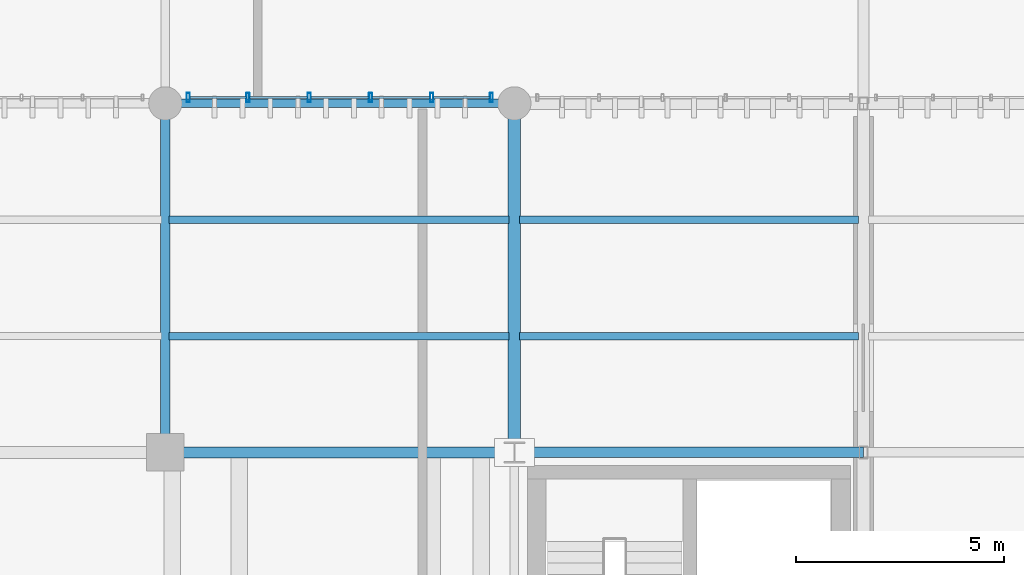
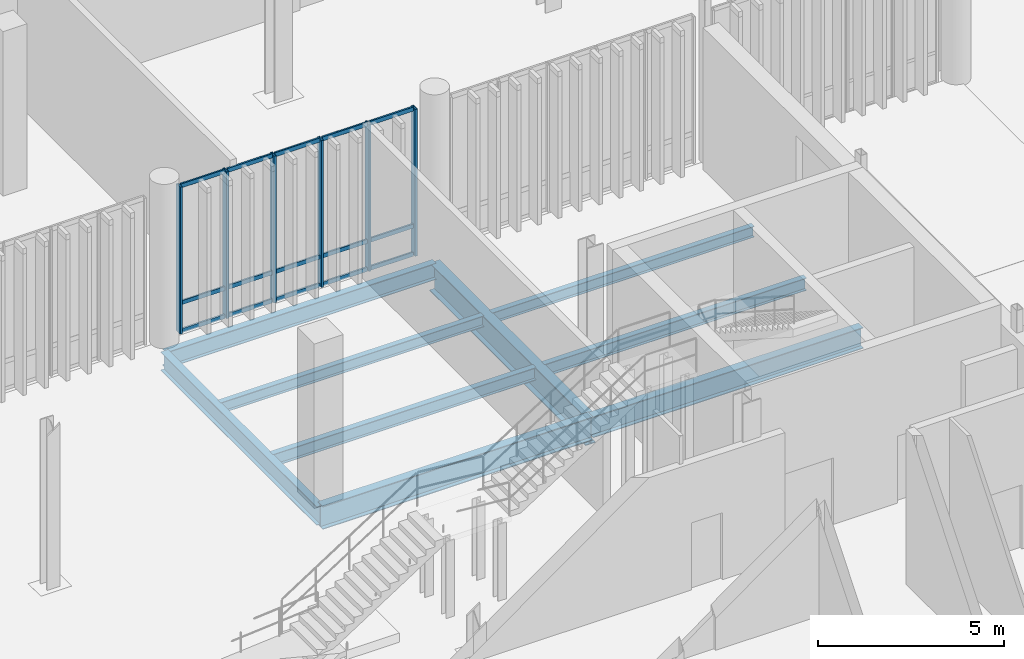
# One storey, part 17 of 112: 21 members, 9 beams, 1 element without a shape of its own.
"""IFC4 building model written with IfcOpenShell, lengths in metres."""

from ifc_helpers import new_model, si_unit, direction, frame, origin_with_axes, origin_2d_with_axis, place, context, subcontext, project, spatial, hollow_rectangle, i_section, extrude, material, material_profile, profile_set, type_object, element, aggregate, save


model = new_model("IFC4")

# Units and contexts
model_context = context("Model", 3, precision=1e-05, world=origin_with_axes(), true_north=direction((0.0, 1.0)))
body_context = subcontext(model_context, "Body", "Model", "MODEL_VIEW")
ifc_project = project(units=[si_unit("LENGTHUNIT", "METRE"), si_unit("AREAUNIT", "SQUARE_METRE"), si_unit("VOLUMEUNIT", "CUBIC_METRE"), si_unit("PLANEANGLEUNIT", "RADIAN"), si_unit("MASSUNIT", "GRAM", prefix="KILO"), si_unit("THERMODYNAMICTEMPERATUREUNIT", "KELVIN")], contexts=[model_context])

# Site, building, storey
site_placement = place(None, origin_with_axes())
site = spatial("IfcSite", under=ifc_project, at=site_placement, CompositionType="ELEMENT")
building_placement = place(site_placement, origin_with_axes())
building = spatial("IfcBuilding", under=site, at=building_placement, Name="Montbau Bow Law Courts", CompositionType="ELEMENT")
storey_placement = place(building_placement, origin_with_axes())
storey = spatial("IfcBuildingStorey", under=building, at=storey_placement, Name="L00", CompositionType="ELEMENT", Elevation=0.0)

# Beams
ifc_material_1 = material(Name="Steel CSA G40.21 Grade 350W (350 MPa)", Category="steel")
ifc_material_profile_1 = material_profile(ifc_material_1, i_section(OverallWidth=0.306, OverallDepth=0.919, WebThickness=0.0173, FlangeThickness=0.0279, at=origin_2d_with_axis()), Name="W920X253", Category="Main", Priority=0)
ifc_profile_set_1 = profile_set([ifc_material_profile_1], Name="Steel CSA G40.21 Grade 350W (350 MPa)")
beam_type_1 = type_object("IfcBeamType", Name="B-FLR-01", PredefinedType="BEAM", material=ifc_profile_set_1)
beam_1_placement = place(None, frame((30.6, 22.2, -0.8), z_axis=(0.0, 1.0, 0.0), x_axis=(-1.0, 0.0, 0.0)))
element("IfcBeam", 1, at=beam_1_placement, inside=storey, type_object=beam_type_1, Name="BM-L00-S0256:bm2_0259", PredefinedType="BEAM", context=body_context, shape_type="SweptSolid", body=[
    extrude(i_section(OverallWidth=0.306, OverallDepth=0.919, WebThickness=0.0173, FlangeThickness=0.0279, at=origin_2d_with_axis()), origin_with_axes(), (0.0, 0.0, 1.0), 8.4),
])
ifc_material_profile_2 = material_profile(ifc_material_1, i_section(OverallWidth=0.267, OverallDepth=0.766, WebThickness=0.0149, FlangeThickness=0.0236, at=origin_2d_with_axis()), Name="W760X185", Category="Main", Priority=0)
ifc_profile_set_2 = profile_set([ifc_material_profile_2], Name="Steel CSA G40.21 Grade 350W (350 MPa)")
beam_type_2 = type_object("IfcBeamType", Name="B-FLR-03", PredefinedType="BEAM", material=ifc_profile_set_2)
beam_2_placement = place(None, frame((22.2, 22.2, -0.663), z_axis=(1.0, 0.0, 0.0), x_axis=(0.0, 1.0, 0.0)))
element("IfcBeam", 2, at=beam_2_placement, inside=storey, type_object=beam_type_2, Name="BM-L00-S0157:bm2_0160", PredefinedType="BEAM", context=body_context, shape_type="SweptSolid", body=[
    extrude(i_section(OverallWidth=0.267, OverallDepth=0.766, WebThickness=0.0149, FlangeThickness=0.0236, at=origin_2d_with_axis()), origin_with_axes(), (0.0, 0.0, 1.0), 8.4),
])
ifc_material_profile_3 = material_profile(ifc_material_1, i_section(OverallWidth=0.254, OverallDepth=0.688, WebThickness=0.0131, FlangeThickness=0.0211, at=origin_2d_with_axis()), Name="W690X152", Category="Main", Priority=0)
ifc_profile_set_3 = profile_set([ifc_material_profile_3], Name="Steel CSA G40.21 Grade 350W (350 MPa)")
beam_type_3 = type_object("IfcBeamType", Name="B-FLR-04", PredefinedType="BEAM", material=ifc_profile_set_3)
beam_3_placement = place(None, frame((30.6, 22.2, -0.634), z_axis=(1.0, 0.0, 0.0), x_axis=(0.0, 1.0, 0.0)))
element("IfcBeam", 3, at=beam_3_placement, inside=storey, type_object=beam_type_3, Name="BM-L00-S0158:bm2_0161", PredefinedType="BEAM", context=body_context, shape_type="SweptSolid", body=[
    extrude(i_section(OverallWidth=0.254, OverallDepth=0.688, WebThickness=0.0131, FlangeThickness=0.0211, at=origin_2d_with_axis()), origin_with_axes(), (0.0, 0.0, 1.0), 8.4),
])
ifc_material_profile_4 = material_profile(ifc_material_1, i_section(OverallWidth=0.229, OverallDepth=0.612, WebThickness=0.0119, FlangeThickness=0.0196, at=origin_2d_with_axis()), Name="W610X125", Category="Main", Priority=0)
ifc_profile_set_4 = profile_set([ifc_material_profile_4], Name="Steel CSA G40.21 Grade 350W (350 MPa)")
beam_type_4 = type_object("IfcBeamType", Name="B-FLR-05", PredefinedType="BEAM", material=ifc_profile_set_4)
beam_4_placement = place(None, frame((22.2, 22.2, -0.646), z_axis=(0.0, 1.0, 0.0), x_axis=(-1.0, 0.0, 0.0)))
element("IfcBeam", 4, at=beam_4_placement, inside=storey, type_object=beam_type_4, Name="BM-L00-S0249:bm2_0252", PredefinedType="BEAM", context=body_context, shape_type="SweptSolid", body=[
    extrude(i_section(OverallWidth=0.229, OverallDepth=0.612, WebThickness=0.0119, FlangeThickness=0.0196, at=origin_2d_with_axis()), origin_with_axes(), (0.0, 0.0, 1.0), 8.4),
])
ifc_material_profile_5 = material_profile(ifc_material_1, i_section(OverallWidth=0.21, OverallDepth=0.537, WebThickness=0.0109, FlangeThickness=0.0174, at=origin_2d_with_axis()), Name="W530X101", Category="Main", Priority=0)
ifc_profile_set_5 = profile_set([ifc_material_profile_5], Name="Steel CSA G40.21 Grade 350W (350 MPa)")
beam_type_5 = type_object("IfcBeamType", Name="B-FLR-06", PredefinedType="BEAM", material=ifc_profile_set_5)
beam_5_placement = place(None, frame((22.2, 30.6, -0.609), z_axis=(1.0, 0.0, 0.0), x_axis=(0.0, 1.0, 0.0)))
element("IfcBeam", 5, at=beam_5_placement, inside=storey, type_object=beam_type_5, Name="BM-L00-S0171:bm2_0174", PredefinedType="BEAM", context=body_context, shape_type="SweptSolid", body=[
    extrude(i_section(OverallWidth=0.21, OverallDepth=0.537, WebThickness=0.0109, FlangeThickness=0.0174, at=origin_2d_with_axis()), origin_with_axes(), (0.0, 0.0, 1.0), 8.4),
])
ifc_material_profile_6 = material_profile(ifc_material_1, i_section(OverallWidth=0.179, OverallDepth=0.41, WebThickness=0.0088, FlangeThickness=0.0144, at=origin_2d_with_axis()), Name="W410X67", Category="Main", Priority=0)
ifc_profile_set_6 = profile_set([ifc_material_profile_6], Name="Steel CSA G40.21 Grade 350W (350 MPa)")
beam_type_6 = type_object("IfcBeamType", Name="B-JST-02", PredefinedType="JOIST", material=ifc_profile_set_6)
beam_6_placement = place(None, frame((22.29, 25.0, -0.545), z_axis=(1.0, 0.0, 0.0), x_axis=(0.0, 1.0, 0.0)))
element("IfcBeam", 6, at=beam_6_placement, inside=storey, type_object=beam_type_6, Name="JST-L00-S0017:jst2_0017", PredefinedType="JOIST", context=body_context, shape_type="SweptSolid", body=[
    extrude(i_section(OverallWidth=0.179, OverallDepth=0.41, WebThickness=0.0088, FlangeThickness=0.0144, at=origin_2d_with_axis()), origin_with_axes(), (0.0, 0.0, 1.0), 8.181),
])
beam_7_placement = place(None, frame((30.729, 25.0, -0.545), z_axis=(1.0, 0.0, 0.0), x_axis=(0.0, 1.0, 0.0)))
element("IfcBeam", 7, at=beam_7_placement, inside=storey, type_object=beam_type_6, Name="JST-L00-S0025:jst2_0025", PredefinedType="JOIST", context=body_context, shape_type="SweptSolid", body=[
    extrude(i_section(OverallWidth=0.179, OverallDepth=0.41, WebThickness=0.0088, FlangeThickness=0.0144, at=origin_2d_with_axis()), origin_with_axes(), (0.0, 0.0, 1.0), 8.148),
])
ifc_material_profile_7 = material_profile(ifc_material_1, i_section(OverallWidth=0.172, OverallDepth=0.358, WebThickness=0.0079, FlangeThickness=0.0131, at=origin_2d_with_axis()), Name="W360X57", Category="Main", Priority=0)
ifc_profile_set_7 = profile_set([ifc_material_profile_7], Name="Steel CSA G40.21 Grade 350W (350 MPa)")
beam_type_7 = type_object("IfcBeamType", Name="B-JST-03", PredefinedType="JOIST", material=ifc_profile_set_7)
beam_8_placement = place(None, frame((22.29, 27.8, -0.519), z_axis=(1.0, 0.0, 0.0), x_axis=(0.0, 1.0, 0.0)))
element("IfcBeam", 8, at=beam_8_placement, inside=storey, type_object=beam_type_7, Name="JST-L00-S0018:jst2_0018", PredefinedType="JOIST", context=body_context, shape_type="SweptSolid", body=[
    extrude(i_section(OverallWidth=0.172, OverallDepth=0.358, WebThickness=0.0079, FlangeThickness=0.0131, at=origin_2d_with_axis()), origin_with_axes(), (0.0, 0.0, 1.0), 8.181),
])
beam_9_placement = place(None, frame((30.729, 27.8, -0.519), z_axis=(1.0, 0.0, 0.0), x_axis=(0.0, 1.0, 0.0)))
element("IfcBeam", 9, at=beam_9_placement, inside=storey, type_object=beam_type_7, Name="JST-L00-S0026:jst2_0026", PredefinedType="JOIST", context=body_context, shape_type="SweptSolid", body=[
    extrude(i_section(OverallWidth=0.172, OverallDepth=0.358, WebThickness=0.0079, FlangeThickness=0.0131, at=origin_2d_with_axis()), origin_with_axes(), (0.0, 0.0, 1.0), 8.148),
])

# Curtain wall, members
ifc_material_2 = material(Name="Thermally Broken Extruded Aluminium AA 6063-T6", Category="aluminium")
curtain_wall_type = type_object("IfcCurtainWallType", Name="CW-TRC-01", PredefinedType="NOTDEFINED", material=ifc_material_2)
curtain_wall_placement = place(None, frame((22.715, 30.74, 0.0), z_axis=(0.0, 0.0, 1.0), x_axis=(1.0, 0.0, 0.0)))
curtain_wall = element("IfcCurtainWall", 10, at=curtain_wall_placement, inside=storey, type_object=curtain_wall_type, Name="CW-L00-003:cw_0003", PredefinedType="NOTDEFINED")
ifc_material_profile_8 = material_profile(ifc_material_2, hollow_rectangle(XDim=0.075, YDim=0.22, WallThickness=0.005, InnerFilletRadius=0.01, OuterFilletRadius=0.005, at=origin_2d_with_axis()), Name="CWM-220X75", Category="Main", Priority=0)
ifc_profile_set_8 = profile_set([ifc_material_profile_8], Name="Thermally Broken Extruded Aluminium AA 6063-T6")
member_type_1 = type_object("IfcMemberType", Name="M-MUL-01", PredefinedType="MULLION", material=ifc_profile_set_8)
member_1_placement = place(None, frame((22.752, 30.74, 0.0), z_axis=(0.0, 0.0, 1.0), x_axis=(1.0, 0.0, 0.0)))
member_1 = element("IfcMember", 11, at=member_1_placement, type_object=member_type_1, Name="CW-L00-003-M01:cw_0003_M01", PredefinedType="MULLION", context=body_context, shape_type="SweptSolid", body=[
    extrude(hollow_rectangle(XDim=0.075, YDim=0.22, WallThickness=0.005, InnerFilletRadius=0.01, OuterFilletRadius=0.005, at=origin_2d_with_axis()), origin_with_axes(), (0.0, 0.0, 1.0), 4.82),
])
member_2_placement = place(None, frame((24.189, 30.74, 0.0), z_axis=(0.0, 0.0, 1.0), x_axis=(1.0, 0.0, 0.0)))
member_2 = element("IfcMember", 12, at=member_2_placement, type_object=member_type_1, Name="CW-L00-003-M02:cw_0003_M02", PredefinedType="MULLION", context=body_context, shape_type="SweptSolid", body=[
    extrude(hollow_rectangle(XDim=0.075, YDim=0.22, WallThickness=0.005, InnerFilletRadius=0.01, OuterFilletRadius=0.005, at=origin_2d_with_axis()), origin_with_axes(), (0.0, 0.0, 1.0), 4.82),
])
member_3_placement = place(None, frame((25.663, 30.74, 0.0), z_axis=(0.0, 0.0, 1.0), x_axis=(1.0, 0.0, 0.0)))
member_3 = element("IfcMember", 13, at=member_3_placement, type_object=member_type_1, Name="CW-L00-003-M03:cw_0003_M03", PredefinedType="MULLION", context=body_context, shape_type="SweptSolid", body=[
    extrude(hollow_rectangle(XDim=0.075, YDim=0.22, WallThickness=0.005, InnerFilletRadius=0.01, OuterFilletRadius=0.005, at=origin_2d_with_axis()), origin_with_axes(), (0.0, 0.0, 1.0), 4.82),
])
member_4_placement = place(None, frame((27.137, 30.74, 0.0), z_axis=(0.0, 0.0, 1.0), x_axis=(1.0, 0.0, 0.0)))
member_4 = element("IfcMember", 14, at=member_4_placement, type_object=member_type_1, Name="CW-L00-003-M04:cw_0003_M04", PredefinedType="MULLION", context=body_context, shape_type="SweptSolid", body=[
    extrude(hollow_rectangle(XDim=0.075, YDim=0.22, WallThickness=0.005, InnerFilletRadius=0.01, OuterFilletRadius=0.005, at=origin_2d_with_axis()), origin_with_axes(), (0.0, 0.0, 1.0), 4.82),
])
member_5_placement = place(None, frame((28.611, 30.74, 0.0), z_axis=(0.0, 0.0, 1.0), x_axis=(1.0, 0.0, 0.0)))
member_5 = element("IfcMember", 15, at=member_5_placement, type_object=member_type_1, Name="CW-L00-003-M05:cw_0003_M05", PredefinedType="MULLION", context=body_context, shape_type="SweptSolid", body=[
    extrude(hollow_rectangle(XDim=0.075, YDim=0.22, WallThickness=0.005, InnerFilletRadius=0.01, OuterFilletRadius=0.005, at=origin_2d_with_axis()), origin_with_axes(), (0.0, 0.0, 1.0), 4.82),
])
member_6_placement = place(None, frame((30.048, 30.74, 0.0), z_axis=(0.0, 0.0, 1.0), x_axis=(1.0, 0.0, 0.0)))
member_6 = element("IfcMember", 16, at=member_6_placement, type_object=member_type_1, Name="CW-L00-003-M06:cw_0003_M06", PredefinedType="MULLION", context=body_context, shape_type="SweptSolid", body=[
    extrude(hollow_rectangle(XDim=0.075, YDim=0.22, WallThickness=0.005, InnerFilletRadius=0.01, OuterFilletRadius=0.005, at=origin_2d_with_axis()), origin_with_axes(), (0.0, 0.0, 1.0), 4.82),
])
ifc_material_profile_9 = material_profile(ifc_material_2, hollow_rectangle(XDim=0.055, YDim=0.14, WallThickness=0.004, InnerFilletRadius=0.008, OuterFilletRadius=0.004, at=origin_2d_with_axis()), Name="CWT-140X55", Category="Main", Priority=0)
ifc_profile_set_9 = profile_set([ifc_material_profile_9], Name="Thermally Broken Extruded Aluminium AA 6063-T6")
member_type_2 = type_object("IfcMemberType", Name="M-TRN-02", PredefinedType="USERDEFINED", material=ifc_profile_set_9)
member_7_placement = place(None, frame((22.791, 30.74, 0.028), z_axis=(1.0, 0.0, 0.0), x_axis=(0.0, 1.0, 0.0)))
member_7 = element("IfcMember", 17, at=member_7_placement, type_object=member_type_2, Name="CW-L00-003-T01-1:cw_0003_T01_1", ObjectType="TRANSOM", PredefinedType="USERDEFINED", context=body_context, shape_type="SweptSolid", body=[
    extrude(hollow_rectangle(XDim=0.055, YDim=0.14, WallThickness=0.004, InnerFilletRadius=0.008, OuterFilletRadius=0.004, at=origin_2d_with_axis()), origin_with_axes(), (0.0, 0.0, 1.0), 1.358),
])
member_8_placement = place(None, frame((22.791, 30.74, 0.95), z_axis=(1.0, 0.0, 0.0), x_axis=(0.0, 1.0, 0.0)))
member_8 = element("IfcMember", 18, at=member_8_placement, type_object=member_type_2, Name="CW-L00-003-T01-2:cw_0003_T01_2", ObjectType="TRANSOM", PredefinedType="USERDEFINED", context=body_context, shape_type="SweptSolid", body=[
    extrude(hollow_rectangle(XDim=0.055, YDim=0.14, WallThickness=0.004, InnerFilletRadius=0.008, OuterFilletRadius=0.004, at=origin_2d_with_axis()), origin_with_axes(), (0.0, 0.0, 1.0), 1.358),
])
member_9_placement = place(None, frame((22.791, 30.74, 4.793), z_axis=(1.0, 0.0, 0.0), x_axis=(0.0, 1.0, 0.0)))
member_9 = element("IfcMember", 19, at=member_9_placement, type_object=member_type_2, Name="CW-L00-003-T01-3:cw_0003_T01_3", ObjectType="TRANSOM", PredefinedType="USERDEFINED", context=body_context, shape_type="SweptSolid", body=[
    extrude(hollow_rectangle(XDim=0.055, YDim=0.14, WallThickness=0.004, InnerFilletRadius=0.008, OuterFilletRadius=0.004, at=origin_2d_with_axis()), origin_with_axes(), (0.0, 0.0, 1.0), 1.358),
])
member_10_placement = place(None, frame((24.229, 30.74, 0.028), z_axis=(1.0, 0.0, 0.0), x_axis=(0.0, 1.0, 0.0)))
member_10 = element("IfcMember", 20, at=member_10_placement, type_object=member_type_2, Name="CW-L00-003-T02-1:cw_0003_T02_1", ObjectType="TRANSOM", PredefinedType="USERDEFINED", context=body_context, shape_type="SweptSolid", body=[
    extrude(hollow_rectangle(XDim=0.055, YDim=0.14, WallThickness=0.004, InnerFilletRadius=0.008, OuterFilletRadius=0.004, at=origin_2d_with_axis()), origin_with_axes(), (0.0, 0.0, 1.0), 1.395),
])
member_11_placement = place(None, frame((24.229, 30.74, 0.95), z_axis=(1.0, 0.0, 0.0), x_axis=(0.0, 1.0, 0.0)))
member_11 = element("IfcMember", 21, at=member_11_placement, type_object=member_type_2, Name="CW-L00-003-T02-2:cw_0003_T02_2", ObjectType="TRANSOM", PredefinedType="USERDEFINED", context=body_context, shape_type="SweptSolid", body=[
    extrude(hollow_rectangle(XDim=0.055, YDim=0.14, WallThickness=0.004, InnerFilletRadius=0.008, OuterFilletRadius=0.004, at=origin_2d_with_axis()), origin_with_axes(), (0.0, 0.0, 1.0), 1.395),
])
member_12_placement = place(None, frame((24.229, 30.74, 4.793), z_axis=(1.0, 0.0, 0.0), x_axis=(0.0, 1.0, 0.0)))
member_12 = element("IfcMember", 22, at=member_12_placement, type_object=member_type_2, Name="CW-L00-003-T02-3:cw_0003_T02_3", ObjectType="TRANSOM", PredefinedType="USERDEFINED", context=body_context, shape_type="SweptSolid", body=[
    extrude(hollow_rectangle(XDim=0.055, YDim=0.14, WallThickness=0.004, InnerFilletRadius=0.008, OuterFilletRadius=0.004, at=origin_2d_with_axis()), origin_with_axes(), (0.0, 0.0, 1.0), 1.395),
])
member_13_placement = place(None, frame((25.702, 30.74, 0.028), z_axis=(1.0, 0.0, 0.0), x_axis=(0.0, 1.0, 0.0)))
member_13 = element("IfcMember", 23, at=member_13_placement, type_object=member_type_2, Name="CW-L00-003-T03-1:cw_0003_T03_1", ObjectType="TRANSOM", PredefinedType="USERDEFINED", context=body_context, shape_type="SweptSolid", body=[
    extrude(hollow_rectangle(XDim=0.055, YDim=0.14, WallThickness=0.004, InnerFilletRadius=0.008, OuterFilletRadius=0.004, at=origin_2d_with_axis()), origin_with_axes(), (0.0, 0.0, 1.0), 1.396),
])
member_14_placement = place(None, frame((25.702, 30.74, 0.95), z_axis=(1.0, 0.0, 0.0), x_axis=(0.0, 1.0, 0.0)))
member_14 = element("IfcMember", 24, at=member_14_placement, type_object=member_type_2, Name="CW-L00-003-T03-2:cw_0003_T03_2", ObjectType="TRANSOM", PredefinedType="USERDEFINED", context=body_context, shape_type="SweptSolid", body=[
    extrude(hollow_rectangle(XDim=0.055, YDim=0.14, WallThickness=0.004, InnerFilletRadius=0.008, OuterFilletRadius=0.004, at=origin_2d_with_axis()), origin_with_axes(), (0.0, 0.0, 1.0), 1.396),
])
member_15_placement = place(None, frame((25.702, 30.74, 4.793), z_axis=(1.0, 0.0, 0.0), x_axis=(0.0, 1.0, 0.0)))
member_15 = element("IfcMember", 25, at=member_15_placement, type_object=member_type_2, Name="CW-L00-003-T03-3:cw_0003_T03_3", ObjectType="TRANSOM", PredefinedType="USERDEFINED", context=body_context, shape_type="SweptSolid", body=[
    extrude(hollow_rectangle(XDim=0.055, YDim=0.14, WallThickness=0.004, InnerFilletRadius=0.008, OuterFilletRadius=0.004, at=origin_2d_with_axis()), origin_with_axes(), (0.0, 0.0, 1.0), 1.396),
])
member_16_placement = place(None, frame((27.176, 30.74, 0.028), z_axis=(1.0, 0.0, 0.0), x_axis=(0.0, 1.0, 0.0)))
member_16 = element("IfcMember", 26, at=member_16_placement, type_object=member_type_2, Name="CW-L00-003-T04-1:cw_0003_T04_1", ObjectType="TRANSOM", PredefinedType="USERDEFINED", context=body_context, shape_type="SweptSolid", body=[
    extrude(hollow_rectangle(XDim=0.055, YDim=0.14, WallThickness=0.004, InnerFilletRadius=0.008, OuterFilletRadius=0.004, at=origin_2d_with_axis()), origin_with_axes(), (0.0, 0.0, 1.0), 1.396),
])
member_17_placement = place(None, frame((27.176, 30.74, 0.95), z_axis=(1.0, 0.0, 0.0), x_axis=(0.0, 1.0, 0.0)))
member_17 = element("IfcMember", 27, at=member_17_placement, type_object=member_type_2, Name="CW-L00-003-T04-2:cw_0003_T04_2", ObjectType="TRANSOM", PredefinedType="USERDEFINED", context=body_context, shape_type="SweptSolid", body=[
    extrude(hollow_rectangle(XDim=0.055, YDim=0.14, WallThickness=0.004, InnerFilletRadius=0.008, OuterFilletRadius=0.004, at=origin_2d_with_axis()), origin_with_axes(), (0.0, 0.0, 1.0), 1.396),
])
member_18_placement = place(None, frame((27.176, 30.74, 4.793), z_axis=(1.0, 0.0, 0.0), x_axis=(0.0, 1.0, 0.0)))
member_18 = element("IfcMember", 28, at=member_18_placement, type_object=member_type_2, Name="CW-L00-003-T04-3:cw_0003_T04_3", ObjectType="TRANSOM", PredefinedType="USERDEFINED", context=body_context, shape_type="SweptSolid", body=[
    extrude(hollow_rectangle(XDim=0.055, YDim=0.14, WallThickness=0.004, InnerFilletRadius=0.008, OuterFilletRadius=0.004, at=origin_2d_with_axis()), origin_with_axes(), (0.0, 0.0, 1.0), 1.396),
])
member_19_placement = place(None, frame((28.65, 30.74, 0.028), z_axis=(1.0, 0.0, 0.0), x_axis=(0.0, 1.0, 0.0)))
member_19 = element("IfcMember", 29, at=member_19_placement, type_object=member_type_2, Name="CW-L00-003-T05-1:cw_0003_T05_1", ObjectType="TRANSOM", PredefinedType="USERDEFINED", context=body_context, shape_type="SweptSolid", body=[
    extrude(hollow_rectangle(XDim=0.055, YDim=0.14, WallThickness=0.004, InnerFilletRadius=0.008, OuterFilletRadius=0.004, at=origin_2d_with_axis()), origin_with_axes(), (0.0, 0.0, 1.0), 1.359),
])
member_20_placement = place(None, frame((28.65, 30.74, 0.95), z_axis=(1.0, 0.0, 0.0), x_axis=(0.0, 1.0, 0.0)))
member_20 = element("IfcMember", 30, at=member_20_placement, type_object=member_type_2, Name="CW-L00-003-T05-2:cw_0003_T05_2", ObjectType="TRANSOM", PredefinedType="USERDEFINED", context=body_context, shape_type="SweptSolid", body=[
    extrude(hollow_rectangle(XDim=0.055, YDim=0.14, WallThickness=0.004, InnerFilletRadius=0.008, OuterFilletRadius=0.004, at=origin_2d_with_axis()), origin_with_axes(), (0.0, 0.0, 1.0), 1.359),
])
member_21_placement = place(None, frame((28.65, 30.74, 4.793), z_axis=(1.0, 0.0, 0.0), x_axis=(0.0, 1.0, 0.0)))
member_21 = element("IfcMember", 31, at=member_21_placement, type_object=member_type_2, Name="CW-L00-003-T05-3:cw_0003_T05_3", ObjectType="TRANSOM", PredefinedType="USERDEFINED", context=body_context, shape_type="SweptSolid", body=[
    extrude(hollow_rectangle(XDim=0.055, YDim=0.14, WallThickness=0.004, InnerFilletRadius=0.008, OuterFilletRadius=0.004, at=origin_2d_with_axis()), origin_with_axes(), (0.0, 0.0, 1.0), 1.359),
])
aggregate(curtain_wall, [member_1, member_2, member_3, member_4, member_5, member_6, member_7, member_8, member_9, member_10, member_11, member_12, member_13, member_14, member_15, member_16, member_17, member_18, member_19, member_20, member_21])

save(model, "model.ifc")
